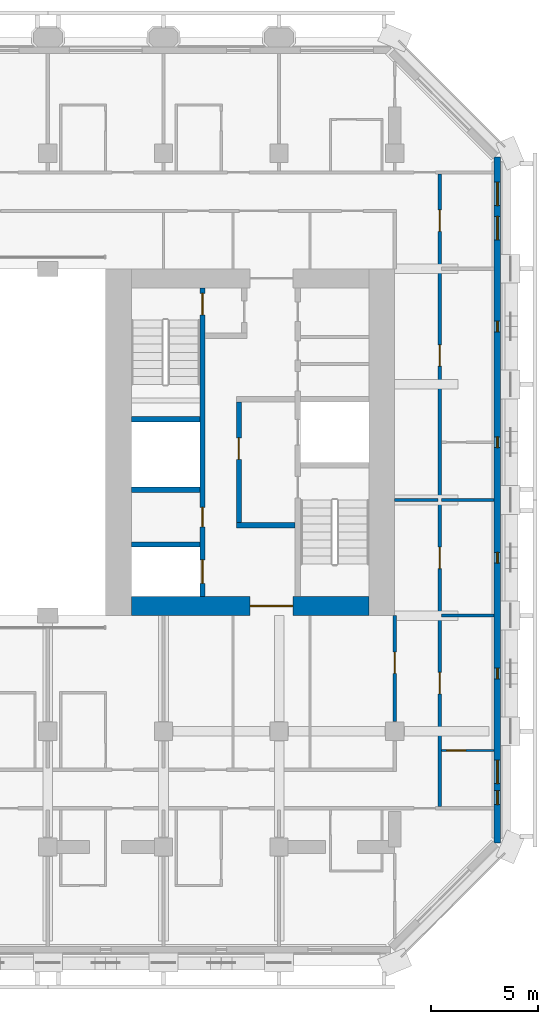
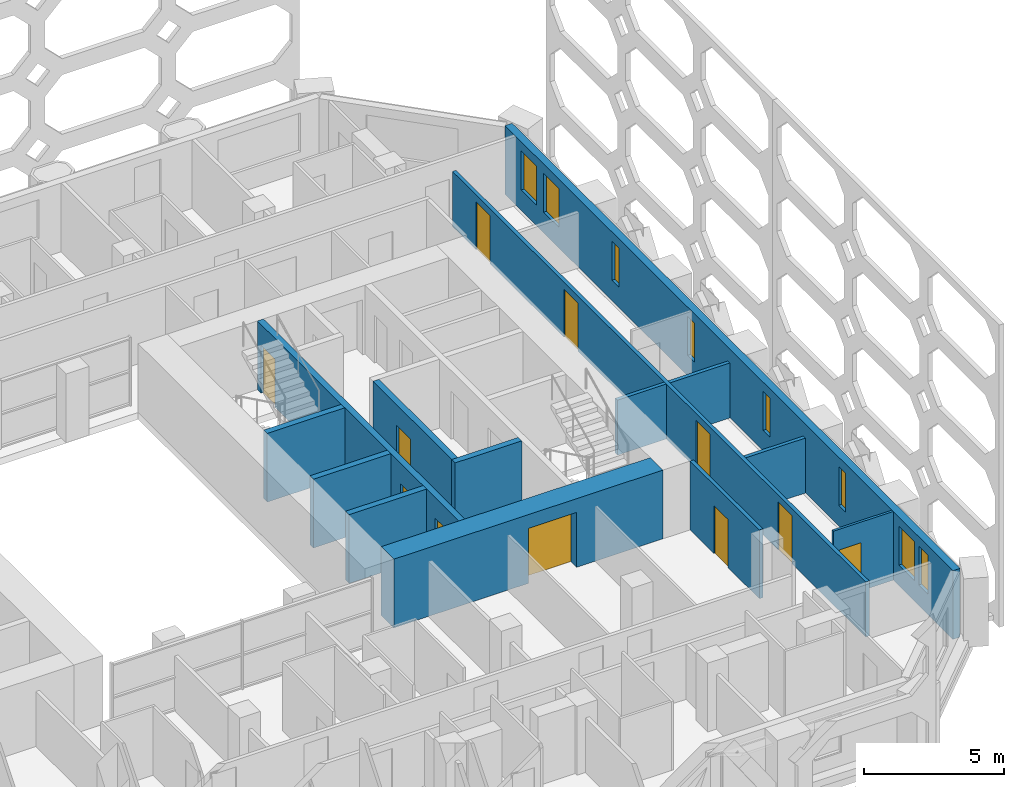
# One storey, part 9 of 16: 14 walls, 11 doors, 8 windows, 19 openings.
"""IFC4 building model written with IfcOpenShell, lengths in metres."""

from ifc_helpers import new_model, si_unit, direction, frame, frame_2d, origin, place, context, subcontext, project, spatial, rectangle, extrude, material, layer, layer_set, type_object, element, fill, save


model = new_model("IFC4")

# Units and contexts
model_context = context("Model", 3, precision=1e-05, world=origin(), true_north=direction((0.0, 1.0)))
body_context = subcontext(model_context, "Body", "Model", "MODEL_VIEW")
ifc_project = project(units=[si_unit("LENGTHUNIT", "METRE"), si_unit("AREAUNIT", "SQUARE_METRE"), si_unit("VOLUMEUNIT", "CUBIC_METRE"), si_unit("PLANEANGLEUNIT", "RADIAN"), si_unit("MASSUNIT", "GRAM", prefix="KILO")], contexts=[model_context])

# Site, building, storey
site_placement = place(None, origin())
site = spatial("IfcSite", under=ifc_project, at=site_placement, CompositionType="ELEMENT")
building_placement = place(site_placement, origin())
building = spatial("IfcBuilding", under=site, at=building_placement, Name="Tabaq Tower and Sports Hall", CompositionType="ELEMENT")
storey_placement = place(building_placement, frame((0.0, 0.0, 152.800048828125)))
storey = spatial("IfcBuildingStorey", under=building, at=storey_placement, Name="L35", CompositionType="ELEMENT", Elevation=152.800048828125)

# Wall, opening, door
ifc_material_1 = material(Name="Concrete C50/60", Category="concrete")
ifc_layer_1 = layer(ifc_material_1, 0.89990234375)
ifc_layer_set_1 = layer_set([ifc_layer_1], Name="Core wall 900 Concrete C50/60")
wall_type_1 = type_object("IfcWallType", Name="Core wall 900 Concrete C50/60", PredefinedType="SOLIDWALL", material=ifc_layer_set_1)
wall_1_placement = place(storey_placement, frame((42.0, 16.64990234375, 0.0), z_axis=(0.0, 0.0, 1.0), x_axis=(-1.0, 0.0, 0.0)))
wall_1 = element("IfcWall", 1, at=wall_1_placement, inside=storey, type_object=wall_type_1, Name="Core wall E L35", PredefinedType="SOLIDWALL", context=body_context, shape_type="SweptSolid", body=[
    extrude(rectangle(XDim=11.10009765625, YDim=0.89990234375, at=frame_2d((5.550048828125, 0.0))), origin(), (0.0, 0.0, 1.0), 3.0),
])
opening_1_placement = place(wall_1_placement, frame((3.550048828125, 0.0, 0.0)))
opening_1 = element("IfcOpeningElement", 2, at=opening_1_placement, cuts=wall_1, Name="Opening PD-EL35-01", PredefinedType="OPENING", context=body_context, shape_type="SweptSolid", body=[
    extrude(rectangle(XDim=2.0, YDim=2.39990234375, at=frame_2d((1.0, 1.199951171875))), frame((0.0, 0.449951171875, 0.0), z_axis=(0.0, -1.0, 0.0), x_axis=(1.0, 0.0, 0.0)), (0.0, 0.0, 1.0), 0.89990234375),
])
ifc_material_2 = material(Name="Steel fire door", Category="steel")
door_type_1 = type_object("IfcDoorType", Name="Core entrance door 2000", OperationType="DOUBLE_DOOR_SINGLE_SWING", PredefinedType="DOOR", material=ifc_material_2)
door_1_placement = place(opening_1_placement, origin())
door_1 = element("IfcDoor", 3, at=door_1_placement, inside=storey, type_object=door_type_1, Name="Core entrance south E L35", OperationType="DOUBLE_DOOR_SINGLE_SWING", OverallHeight=2.39990234375, OverallWidth=2.0, PredefinedType="DOOR", context=body_context, shape_type="SweptSolid", body=[
    extrude(rectangle(XDim=2.0, YDim=2.39990234375, at=frame_2d((1.0, 1.199951171875))), frame((0.0, 0.02490234375, 0.0), z_axis=(0.0, -1.0, 0.0), x_axis=(1.0, 0.0, 0.0)), (0.0, 0.0, 1.0), 0.050048828125),
])
fill(opening_1, door_1)

ifc_material_3 = material(Name="Gypsum board on steel studs", Category="steel")
ifc_layer_2 = layer(ifc_material_3, 0.10009765625)
ifc_layer_set_2 = layer_set([ifc_layer_2], Name="Partition 100 Gypsum board")
wall_type_2 = type_object("IfcWallType", Name="Partition 100 Gypsum board", PredefinedType="PARTITIONING", material=ifc_layer_set_2)
wall_2_placement = place(storey_placement, frame((45.375, 9.89990234375, 0.0), z_axis=(0.0, 0.0, 1.0), x_axis=(1.0, 0.0, 0.0)))
wall_2 = element("IfcWall", 4, at=wall_2_placement, inside=storey, type_object=wall_type_2, Name="Partition wall L35", PredefinedType="PARTITIONING", context=body_context, shape_type="SweptSolid", body=[
    extrude(rectangle(XDim=2.47412109375, YDim=0.10009765625, at=frame_2d((1.237060546875, 0.0))), origin(), (0.0, 0.0, 1.0), 3.0),
])
opening_2_placement = place(wall_2_placement, frame((0.25, 0.0, 0.0)))
opening_2 = element("IfcOpeningElement", 5, at=opening_2_placement, cuts=wall_2, Name="Opening L35-017", PredefinedType="OPENING", context=body_context, shape_type="SweptSolid", body=[
    extrude(rectangle(XDim=0.89990234375, YDim=2.10009765625, at=frame_2d((0.449951171875, 1.050048828125))), frame((0.0, 0.050048828125, 0.0), z_axis=(0.0, -1.0, 0.0), x_axis=(1.0, 0.0, 0.0)), (0.0, 0.0, 1.0), 0.10009765625),
])
ifc_material_4 = material(Name="Timber leaf in steel frame", Category="steel")
door_type_2 = type_object("IfcDoorType", Name="Internal door 900 left hand", OperationType="SINGLE_SWING_LEFT", PredefinedType="DOOR", material=ifc_material_4)
door_2_placement = place(opening_2_placement, origin())
door_2 = element("IfcDoor", 6, at=door_2_placement, inside=storey, type_object=door_type_2, Name="Internal door L35-017", OperationType="SINGLE_SWING_LEFT", OverallHeight=2.10009765625, OverallWidth=0.89990234375, PredefinedType="DOOR", context=body_context, shape_type="SweptSolid", body=[
    extrude(rectangle(XDim=0.89990234375, YDim=2.10009765625, at=frame_2d((0.449951171875, 1.050048828125))), frame((0.0, 0.02490234375, 0.0), z_axis=(0.0, -1.0, 0.0), x_axis=(1.0, 0.0, 0.0)), (0.0, 0.0, 1.0), 0.050048828125),
])
fill(opening_2, door_2)

# Walls
ifc_material_5 = material(Name="Blockwork", Category="masonry")
ifc_layer_3 = layer(ifc_material_5, 0.14990234375)
ifc_layer_set_3 = layer_set([ifc_layer_3], Name="Separating wall 150 Blockwork")
wall_type_3 = type_object("IfcWallType", Name="Separating wall 150 Blockwork", PredefinedType="PARTITIONING", material=ifc_layer_set_3)
wall_3_placement = place(storey_placement, frame((45.375, 21.60009765625, 0.0), z_axis=(0.0, 0.0, 1.0), x_axis=(1.0, 0.0, 0.0)))
element("IfcWall", 7, at=wall_3_placement, inside=storey, type_object=wall_type_3, Name="Separating wall L35", PredefinedType="PARTITIONING", context=body_context, shape_type="SweptSolid", body=[
    extrude(rectangle(XDim=2.47412109375, YDim=0.14990234375, at=frame_2d((1.237060546875, 0.0))), origin(), (0.0, 0.0, 1.0), 2.39990234375),
])
wall_4_placement = place(storey_placement, frame((43.199951171875, 21.60009765625, 0.0), z_axis=(0.0, 0.0, 1.0), x_axis=(1.0, 0.0, 0.0)))
element("IfcWall", 8, at=wall_4_placement, inside=storey, type_object=wall_type_3, Name="Separating wall L35", PredefinedType="PARTITIONING", context=body_context, shape_type="SweptSolid", body=[
    extrude(rectangle(XDim=2.025146484375, YDim=0.14990234375, at=frame_2d((1.0126953125, 0.0))), origin(), (0.0, 0.0, 1.0), 2.39990234375),
])
wall_5_placement = place(storey_placement, frame((47.84912109375, 16.199951171875, 0.0), z_axis=(0.0, 0.0, 1.0), x_axis=(-1.0, 0.0, 0.0)))
element("IfcWall", 9, at=wall_5_placement, inside=storey, type_object=wall_type_3, Name="Separating wall L35", PredefinedType="PARTITIONING", context=body_context, shape_type="SweptSolid", body=[
    extrude(rectangle(XDim=2.47412109375, YDim=0.14990234375, at=frame_2d((1.237060546875, 0.0))), origin(), (0.0, 0.0, 1.0), 2.39990234375),
])

# Wall, openings, doors
wall_6_placement = place(storey_placement, frame((45.300048828125, 36.824951171875, 0.0), z_axis=(0.0, 0.0, 1.0), x_axis=(0.0, -1.0, 0.0)))
wall_6 = element("IfcWall", 10, at=wall_6_placement, inside=storey, type_object=wall_type_3, Name="Separating wall L35", PredefinedType="PARTITIONING", context=body_context, shape_type="SweptSolid", body=[
    extrude(rectangle(XDim=29.550048828125, YDim=0.14990234375, at=frame_2d((14.77490234375, 0.0))), origin(), (0.0, 0.0, 1.0), 2.39990234375),
])
opening_3_placement = place(wall_6_placement, frame((1.675048828125, 0.0, 0.0)))
opening_3 = element("IfcOpeningElement", 11, at=opening_3_placement, cuts=wall_6, Name="Opening L35-001", PredefinedType="OPENING", context=body_context, shape_type="SweptSolid", body=[
    extrude(rectangle(XDim=1.0, YDim=2.10009765625, at=frame_2d((0.5, 1.050048828125))), frame((0.0, 0.074951171875, 0.0), z_axis=(0.0, -1.0, 0.0), x_axis=(1.0, 0.0, 0.0)), (0.0, 0.0, 1.0), 0.14990234375),
])
opening_4_placement = place(wall_6_placement, frame((17.425048828125, 0.0, 0.0)))
opening_4 = element("IfcOpeningElement", 12, at=opening_4_placement, cuts=wall_6, Name="Opening L35-025", PredefinedType="OPENING", context=body_context, shape_type="SweptSolid", body=[
    extrude(rectangle(XDim=1.0, YDim=2.10009765625, at=frame_2d((0.5, 1.050048828125))), frame((0.0, 0.074951171875, 0.0), z_axis=(0.0, -1.0, 0.0), x_axis=(1.0, 0.0, 0.0)), (0.0, 0.0, 1.0), 0.14990234375),
])
opening_5_placement = place(wall_6_placement, frame((7.97509765625, 0.0, 0.0)))
opening_5 = element("IfcOpeningElement", 13, at=opening_5_placement, cuts=wall_6, Name="Opening L35-036", PredefinedType="OPENING", context=body_context, shape_type="SweptSolid", body=[
    extrude(rectangle(XDim=1.0, YDim=2.10009765625, at=frame_2d((0.5, 1.050048828125))), frame((0.0, 0.074951171875, 0.0), z_axis=(0.0, -1.0, 0.0), x_axis=(1.0, 0.0, 0.0)), (0.0, 0.0, 1.0), 0.14990234375),
])
opening_6_placement = place(wall_6_placement, frame((23.27490234375, 0.0, 0.0)))
opening_6 = element("IfcOpeningElement", 14, at=opening_6_placement, cuts=wall_6, Name="Opening L35-042", PredefinedType="OPENING", context=body_context, shape_type="SweptSolid", body=[
    extrude(rectangle(XDim=1.0, YDim=2.10009765625, at=frame_2d((0.5, 1.050048828125))), frame((0.0, 0.074951171875, 0.0), z_axis=(0.0, -1.0, 0.0), x_axis=(1.0, 0.0, 0.0)), (0.0, 0.0, 1.0), 0.14990234375),
])
ifc_material_6 = material(Name="Steel fire door", Category="steel")
door_type_3 = type_object("IfcDoorType", Name="Entrance door 1000 right hand", OperationType="SINGLE_SWING_RIGHT", PredefinedType="DOOR", material=ifc_material_6)
door_3_placement = place(opening_5_placement, origin())
door_3 = element("IfcDoor", 15, at=door_3_placement, inside=storey, type_object=door_type_3, Name="Entrance door L35-036", OperationType="SINGLE_SWING_RIGHT", OverallHeight=2.10009765625, OverallWidth=1.0, PredefinedType="DOOR", context=body_context, shape_type="SweptSolid", body=[
    extrude(rectangle(XDim=1.0, YDim=2.10009765625, at=frame_2d((0.5, 1.050048828125))), frame((0.0, 0.02490234375, 0.0), z_axis=(0.0, -1.0, 0.0), x_axis=(1.0, 0.0, 0.0)), (0.0, 0.0, 1.0), 0.050048828125),
])
fill(opening_5, door_3)
door_4_placement = place(opening_6_placement, origin())
door_4 = element("IfcDoor", 16, at=door_4_placement, inside=storey, type_object=door_type_3, Name="Entrance door L35-042", OperationType="SINGLE_SWING_RIGHT", OverallHeight=2.10009765625, OverallWidth=1.0, PredefinedType="DOOR", context=body_context, shape_type="SweptSolid", body=[
    extrude(rectangle(XDim=1.0, YDim=2.10009765625, at=frame_2d((0.5, 1.050048828125))), frame((0.0, 0.02490234375, 0.0), z_axis=(0.0, -1.0, 0.0), x_axis=(1.0, 0.0, 0.0)), (0.0, 0.0, 1.0), 0.050048828125),
])
fill(opening_6, door_4)
ifc_material_7 = material(Name="Timber leaf in steel frame", Category="steel")
door_type_4 = type_object("IfcDoorType", Name="Internal door 1000 left hand", OperationType="SINGLE_SWING_LEFT", PredefinedType="DOOR", material=ifc_material_7)
door_5_placement = place(opening_3_placement, origin())
door_5 = element("IfcDoor", 17, at=door_5_placement, inside=storey, type_object=door_type_4, Name="Internal door L35-001", OperationType="SINGLE_SWING_LEFT", OverallHeight=2.10009765625, OverallWidth=1.0, PredefinedType="DOOR", context=body_context, shape_type="SweptSolid", body=[
    extrude(rectangle(XDim=1.0, YDim=2.10009765625, at=frame_2d((0.5, 1.050048828125))), frame((0.0, 0.02490234375, 0.0), z_axis=(0.0, -1.0, 0.0), x_axis=(1.0, 0.0, 0.0)), (0.0, 0.0, 1.0), 0.050048828125),
])
fill(opening_3, door_5)
ifc_material_8 = material(Name="Timber leaf in steel frame", Category="steel")
door_type_5 = type_object("IfcDoorType", Name="Internal door 1000 right hand", OperationType="SINGLE_SWING_RIGHT", PredefinedType="DOOR", material=ifc_material_8)
door_6_placement = place(opening_4_placement, origin())
door_6 = element("IfcDoor", 18, at=door_6_placement, inside=storey, type_object=door_type_5, Name="Internal door L35-025", OperationType="SINGLE_SWING_RIGHT", OverallHeight=2.10009765625, OverallWidth=1.0, PredefinedType="DOOR", context=body_context, shape_type="SweptSolid", body=[
    extrude(rectangle(XDim=1.0, YDim=2.10009765625, at=frame_2d((0.5, 1.050048828125))), frame((0.0, 0.02490234375, 0.0), z_axis=(0.0, -1.0, 0.0), x_axis=(1.0, 0.0, 0.0)), (0.0, 0.0, 1.0), 0.050048828125),
])
fill(opening_4, door_6)

# Wall, opening, door
wall_7_placement = place(storey_placement, frame((43.199951171875, 16.199951171875, 0.0), z_axis=(0.0, 0.0, 1.0), x_axis=(0.0, -1.0, 0.0)))
wall_7 = element("IfcWall", 19, at=wall_7_placement, inside=storey, type_object=wall_type_3, Name="Separating wall L35", PredefinedType="PARTITIONING", context=body_context, shape_type="SweptSolid", body=[
    extrude(rectangle(XDim=4.954833984375, YDim=0.14990234375, at=frame_2d((2.4775390625, 0.0))), origin(), (0.0, 0.0, 1.0), 3.0),
])
opening_7_placement = place(wall_7_placement, frame((1.699951171875, 0.0, 0.0)))
opening_7 = element("IfcOpeningElement", 20, at=opening_7_placement, cuts=wall_7, Name="Opening L35-028", PredefinedType="OPENING", context=body_context, shape_type="SweptSolid", body=[
    extrude(rectangle(XDim=1.0, YDim=2.10009765625, at=frame_2d((0.5, 1.050048828125))), frame((0.0, 0.074951171875, 0.0), z_axis=(0.0, -1.0, 0.0), x_axis=(1.0, 0.0, 0.0)), (0.0, 0.0, 1.0), 0.14990234375),
])
door_7_placement = place(opening_7_placement, origin())
door_7 = element("IfcDoor", 21, at=door_7_placement, inside=storey, type_object=door_type_5, Name="Internal door L35-028", OperationType="SINGLE_SWING_RIGHT", OverallHeight=2.10009765625, OverallWidth=1.0, PredefinedType="DOOR", context=body_context, shape_type="SweptSolid", body=[
    extrude(rectangle(XDim=1.0, YDim=2.10009765625, at=frame_2d((0.5, 1.050048828125))), frame((0.0, 0.02490234375, 0.0), z_axis=(0.0, -1.0, 0.0), x_axis=(1.0, 0.0, 0.0)), (0.0, 0.0, 1.0), 0.050048828125),
])
fill(opening_7, door_7)

# Wall, openings, doors
ifc_material_9 = material(Name="Concrete C40/50", Category="concrete")
ifc_layer_4 = layer(ifc_material_9, 0.25)
ifc_layer_set_4 = layer_set([ifc_layer_4], Name="Shaft and stair wall 250 Concrete C40/50")
wall_type_4 = type_object("IfcWallType", Name="Shaft and stair wall 250 Concrete C40/50", PredefinedType="SOLIDWALL", material=ifc_layer_set_4)
wall_8_placement = place(storey_placement, frame((34.22509765625, 17.10009765625, 0.0), z_axis=(0.0, 0.0, 1.0), x_axis=(0.0, 1.0, 0.0)))
wall_8 = element("IfcWall", 22, at=wall_8_placement, inside=storey, type_object=wall_type_4, Name="Shaft wall E L35", PredefinedType="SOLIDWALL", context=body_context, shape_type="SweptSolid", body=[
    extrude(rectangle(XDim=14.39990234375, YDim=0.25, at=frame_2d((7.199951171875, 0.0))), origin(), (0.0, 0.0, 1.0), 3.0),
])
opening_8_placement = place(wall_8_placement, frame((13.14990234375, 0.0, 0.0)))
opening_8 = element("IfcOpeningElement", 23, at=opening_8_placement, cuts=wall_8, Name="Opening SD-EL35-05", PredefinedType="OPENING", context=body_context, shape_type="SweptSolid", body=[
    extrude(rectangle(XDim=1.0, YDim=2.10009765625, at=frame_2d((0.5, 1.050048828125))), frame((0.0, 0.125, 0.0), z_axis=(0.0, -1.0, 0.0), x_axis=(1.0, 0.0, 0.0)), (0.0, 0.0, 1.0), 0.25),
])
opening_9_placement = place(wall_8_placement, frame((0.60009765625, 0.0, 0.0)))
opening_9 = element("IfcOpeningElement", 24, at=opening_9_placement, cuts=wall_8, Name="Opening LD-MR2-L35", PredefinedType="OPENING", context=body_context, shape_type="SweptSolid", body=[
    extrude(rectangle(XDim=1.10009765625, YDim=2.10009765625, at=frame_2d((0.550048828125, 1.050048828125))), frame((0.0, 0.125, 0.0), z_axis=(0.0, -1.0, 0.0), x_axis=(1.0, 0.0, 0.0)), (0.0, 0.0, 1.0), 0.25),
])
opening_10_placement = place(wall_8_placement, frame((3.25, 0.0, 0.0)))
opening_10 = element("IfcOpeningElement", 25, at=opening_10_placement, cuts=wall_8, Name="Opening RD-EL35-12", PredefinedType="OPENING", context=body_context, shape_type="SweptSolid", body=[
    extrude(rectangle(XDim=0.89990234375, YDim=2.10009765625, at=frame_2d((0.449951171875, 1.050048828125))), frame((0.0, 0.125, 0.0), z_axis=(0.0, -1.0, 0.0), x_axis=(1.0, 0.0, 0.0)), (0.0, 0.0, 1.0), 0.25),
])
ifc_material_10 = material(Name="Steel fire door", Category="steel")
door_type_6 = type_object("IfcDoorType", Name="Core room door 900", OperationType="SINGLE_SWING_LEFT", PredefinedType="DOOR", material=ifc_material_10)
door_8_placement = place(opening_10_placement, origin())
door_8 = element("IfcDoor", 26, at=door_8_placement, inside=storey, type_object=door_type_6, Name="Door Cleaner's Store E L35", OperationType="SINGLE_SWING_LEFT", OverallHeight=2.10009765625, OverallWidth=0.89990234375, PredefinedType="DOOR", context=body_context, shape_type="SweptSolid", body=[
    extrude(rectangle(XDim=0.89990234375, YDim=2.10009765625, at=frame_2d((0.449951171875, 1.050048828125))), frame((0.0, 0.02490234375, 0.0), z_axis=(0.0, -1.0, 0.0), x_axis=(1.0, 0.0, 0.0)), (0.0, 0.0, 1.0), 0.050048828125),
])
fill(opening_10, door_8)
ifc_material_11 = material(Name="Stainless steel", Category="steel")
door_type_7 = type_object("IfcDoorType", Name="Lift landing door 1100", OperationType="DOUBLE_DOOR_SLIDING", PredefinedType="DOOR", material=ifc_material_11)
door_9_placement = place(opening_9_placement, origin())
door_9 = element("IfcDoor", 27, at=door_9_placement, inside=storey, type_object=door_type_7, Name="Lift landing door MR2 E L35", OperationType="DOUBLE_DOOR_SLIDING", OverallHeight=2.10009765625, OverallWidth=1.10009765625, PredefinedType="DOOR", context=body_context, shape_type="SweptSolid", body=[
    extrude(rectangle(XDim=1.10009765625, YDim=2.10009765625, at=frame_2d((0.550048828125, 1.050048828125))), frame((0.0, 0.02490234375, 0.0), z_axis=(0.0, -1.0, 0.0), x_axis=(1.0, 0.0, 0.0)), (0.0, 0.0, 1.0), 0.050048828125),
])
fill(opening_9, door_9)
ifc_material_12 = material(Name="Steel fire door", Category="steel")
door_type_8 = type_object("IfcDoorType", Name="Stair door 1000", OperationType="SINGLE_SWING_LEFT", PredefinedType="DOOR", material=ifc_material_12)
door_10_placement = place(opening_8_placement, origin())
door_10 = element("IfcDoor", 28, at=door_10_placement, inside=storey, type_object=door_type_8, Name="Stair door ST4 E L35", OperationType="SINGLE_SWING_LEFT", OverallHeight=2.10009765625, OverallWidth=1.0, PredefinedType="DOOR", context=body_context, shape_type="SweptSolid", body=[
    extrude(rectangle(XDim=1.0, YDim=2.10009765625, at=frame_2d((0.5, 1.050048828125))), frame((0.0, 0.02490234375, 0.0), z_axis=(0.0, -1.0, 0.0), x_axis=(1.0, 0.0, 0.0)), (0.0, 0.0, 1.0), 0.050048828125),
])
fill(opening_8, door_10)

# Walls
for number, where, z_axis, x_axis, name in (
    (29, (30.89990234375, 25.375, 0.0), (0.0, 0.0, 1.0), (1.0, 0.0, 0.0), "Stair enclosure wall E L35"),
    (30, (30.89990234375, 22.074951171875, 0.0), (0.0, 0.0, 1.0), (1.0, 0.0, 0.0), "Shaft wall E L35"),
):
    element("IfcWall", number, at=place(storey_placement, frame(where, z_axis=z_axis, x_axis=x_axis)), inside=storey, type_object=wall_type_4, Name=name, PredefinedType="SOLIDWALL", context=body_context, shape_type="SweptSolid", body=[
        extrude(rectangle(XDim=3.2001953125, YDim=0.25, at=frame_2d((1.60009765625, 0.0))), origin(), (0.0, 0.0, 1.0), 3.0),
    ])
wall_9_placement = place(storey_placement, frame((35.800048828125, 20.425048828125, 0.0), z_axis=(0.0, 0.0, 1.0), x_axis=(1.0, 0.0, 0.0)))
element("IfcWall", 31, at=wall_9_placement, inside=storey, type_object=wall_type_4, Name="Fire-fighting lobby wall E L35", PredefinedType="SOLIDWALL", context=body_context, shape_type="SweptSolid", body=[
    extrude(rectangle(XDim=2.75, YDim=0.25, at=frame_2d((1.375, 0.0))), origin(), (0.0, 0.0, 1.0), 3.0),
])

# Wall, opening, door
wall_10_placement = place(storey_placement, frame((35.925048828125, 20.550048828125, 0.0), z_axis=(0.0, 0.0, 1.0), x_axis=(0.0, 1.0, 0.0)))
wall_10 = element("IfcWall", 32, at=wall_10_placement, inside=storey, type_object=wall_type_4, Name="Fire-fighting lobby wall E L35", PredefinedType="SOLIDWALL", context=body_context, shape_type="SweptSolid", body=[
    extrude(rectangle(XDim=5.625, YDim=0.25, at=frame_2d((2.8125, 0.0))), origin(), (0.0, 0.0, 1.0), 3.0),
])
opening_11_placement = place(wall_10_placement, frame((2.949951171875, 0.0, 0.0)))
opening_11 = element("IfcOpeningElement", 33, at=opening_11_placement, cuts=wall_10, Name="Opening FD-EL35-04", PredefinedType="OPENING", context=body_context, shape_type="SweptSolid", body=[
    extrude(rectangle(XDim=1.0, YDim=2.10009765625, at=frame_2d((0.5, 1.050048828125))), frame((0.0, 0.125, 0.0), z_axis=(0.0, -1.0, 0.0), x_axis=(1.0, 0.0, 0.0)), (0.0, 0.0, 1.0), 0.25),
])
ifc_material_13 = material(Name="Steel fire door", Category="steel")
door_type_9 = type_object("IfcDoorType", Name="Fire-fighting lobby door 1000", OperationType="SINGLE_SWING_LEFT", PredefinedType="DOOR", material=ifc_material_13)
door_11_placement = place(opening_11_placement, origin())
door_11 = element("IfcDoor", 34, at=door_11_placement, inside=storey, type_object=door_type_9, Name="Fire-fighting lobby door E L35", OperationType="SINGLE_SWING_LEFT", OverallHeight=2.10009765625, OverallWidth=1.0, PredefinedType="DOOR", context=body_context, shape_type="SweptSolid", body=[
    extrude(rectangle(XDim=1.0, YDim=2.10009765625, at=frame_2d((0.5, 1.050048828125))), frame((0.0, 0.02490234375, 0.0), z_axis=(0.0, -1.0, 0.0), x_axis=(1.0, 0.0, 0.0)), (0.0, 0.0, 1.0), 0.050048828125),
])
fill(opening_11, door_11)

# Wall
wall_11_placement = place(storey_placement, frame((30.89990234375, 19.52490234375, 0.0), z_axis=(0.0, 0.0, 1.0), x_axis=(1.0, 0.0, 0.0)))
element("IfcWall", 35, at=wall_11_placement, inside=storey, type_object=wall_type_4, Name="Shaft wall E L35", PredefinedType="SOLIDWALL", context=body_context, shape_type="SweptSolid", body=[
    extrude(rectangle(XDim=3.2001953125, YDim=0.25, at=frame_2d((1.60009765625, 0.0))), origin(), (0.0, 0.0, 1.0), 3.0),
])

# Wall, openings, windows
ifc_material_14 = material(Name="White precast concrete C60/75", Category="concrete")
ifc_layer_5 = layer(ifc_material_14, 0.300048828125)
ifc_layer_set_5 = layer_set([ifc_layer_5], Name="White precast concrete C60/75 external wall 300")
wall_type_5 = type_object("IfcWallType", Name="White precast concrete C60/75 external wall 300", PredefinedType="SOLIDWALL", material=ifc_layer_set_5)
wall_12_placement = place(storey_placement, frame((48.0, 5.58642578125, 0.0), z_axis=(0.0, 0.0, 1.0), x_axis=(0.0, 1.0, 0.0)))
wall_12 = element("IfcWall", 36, at=wall_12_placement, inside=storey, type_object=wall_type_5, Name="External Wall L35 E", PredefinedType="SOLIDWALL", context=body_context, shape_type="SweptSolid", body=[
    extrude(rectangle(XDim=32.027099609375, YDim=0.300048828125, at=frame_2d((16.013671875, 0.0))), origin(), (0.0, 0.0, 1.0), 3.0),
])
opening_12_placement = place(wall_12_placement, frame((1.78857421875, 0.0, 0.89990234375)))
opening_12 = element("IfcOpeningElement", 37, at=opening_12_placement, cuts=wall_12, Name="Opening W1C", PredefinedType="OPENING", context=body_context, shape_type="SweptSolid", body=[
    extrude(rectangle(XDim=0.64990234375, YDim=1.699951171875, at=frame_2d((0.324951171875, 0.85009765625))), frame((0.0, 0.16015625, 0.0), z_axis=(0.0, -1.0, 0.0), x_axis=(1.0, 0.0, 0.0)), (0.0, 0.0, 1.0), 0.320068359375),
])
opening_13_placement = place(wall_12_placement, frame((2.763671875, 0.0, 0.89990234375)))
opening_13 = element("IfcOpeningElement", 38, at=opening_13_placement, cuts=wall_12, Name="Opening W1B", PredefinedType="OPENING", context=body_context, shape_type="SweptSolid", body=[
    extrude(rectangle(XDim=1.10009765625, YDim=1.699951171875, at=frame_2d((0.550048828125, 0.85009765625))), frame((0.0, 0.16015625, 0.0), z_axis=(0.0, -1.0, 0.0), x_axis=(1.0, 0.0, 0.0)), (0.0, 0.0, 1.0), 0.320068359375),
])
opening_14_placement = place(wall_12_placement, frame((7.66357421875, 0.0, 0.89990234375)))
opening_14 = element("IfcOpeningElement", 39, at=opening_14_placement, cuts=wall_12, Name="Opening W1E", PredefinedType="OPENING", context=body_context, shape_type="SweptSolid", body=[
    extrude(rectangle(XDim=0.5, YDim=1.699951171875, at=frame_2d((0.25, 0.85009765625))), frame((0.0, 0.16015625, 0.0), z_axis=(0.0, -1.0, 0.0), x_axis=(1.0, 0.0, 0.0)), (0.0, 0.0, 1.0), 0.320068359375),
])
opening_15_placement = place(wall_12_placement, frame((13.063720703125, 0.0, 0.89990234375)))
opening_15 = element("IfcOpeningElement", 40, at=opening_15_placement, cuts=wall_12, Name="Opening W1E", PredefinedType="OPENING", context=body_context, shape_type="SweptSolid", body=[
    extrude(rectangle(XDim=0.5, YDim=1.699951171875, at=frame_2d((0.25, 0.85009765625))), frame((0.0, 0.16015625, 0.0), z_axis=(0.0, -1.0, 0.0), x_axis=(1.0, 0.0, 0.0)), (0.0, 0.0, 1.0), 0.320068359375),
])
opening_16_placement = place(wall_12_placement, frame((18.463623046875, 0.0, 0.89990234375)))
opening_16 = element("IfcOpeningElement", 41, at=opening_16_placement, cuts=wall_12, Name="Opening W1E", PredefinedType="OPENING", context=body_context, shape_type="SweptSolid", body=[
    extrude(rectangle(XDim=0.5, YDim=1.699951171875, at=frame_2d((0.25, 0.85009765625))), frame((0.0, 0.16015625, 0.0), z_axis=(0.0, -1.0, 0.0), x_axis=(1.0, 0.0, 0.0)), (0.0, 0.0, 1.0), 0.320068359375),
])
opening_17_placement = place(wall_12_placement, frame((23.863525390625, 0.0, 0.89990234375)))
opening_17 = element("IfcOpeningElement", 42, at=opening_17_placement, cuts=wall_12, Name="Opening W1E", PredefinedType="OPENING", context=body_context, shape_type="SweptSolid", body=[
    extrude(rectangle(XDim=0.5, YDim=1.699951171875, at=frame_2d((0.25, 0.85009765625))), frame((0.0, 0.16015625, 0.0), z_axis=(0.0, -1.0, 0.0), x_axis=(1.0, 0.0, 0.0)), (0.0, 0.0, 1.0), 0.320068359375),
])
opening_18_placement = place(wall_12_placement, frame((28.16357421875, 0.0, 0.89990234375)))
opening_18 = element("IfcOpeningElement", 43, at=opening_18_placement, cuts=wall_12, Name="Opening W1B", PredefinedType="OPENING", context=body_context, shape_type="SweptSolid", body=[
    extrude(rectangle(XDim=1.10009765625, YDim=1.699951171875, at=frame_2d((0.550048828125, 0.85009765625))), frame((0.0, 0.16015625, 0.0), z_axis=(0.0, -1.0, 0.0), x_axis=(1.0, 0.0, 0.0)), (0.0, 0.0, 1.0), 0.320068359375),
])
opening_19_placement = place(wall_12_placement, frame((29.763671875, 0.0, 0.89990234375)))
opening_19 = element("IfcOpeningElement", 44, at=opening_19_placement, cuts=wall_12, Name="Opening W1B", PredefinedType="OPENING", context=body_context, shape_type="SweptSolid", body=[
    extrude(rectangle(XDim=1.10009765625, YDim=1.699951171875, at=frame_2d((0.550048828125, 0.85009765625))), frame((0.0, 0.16015625, 0.0), z_axis=(0.0, -1.0, 0.0), x_axis=(1.0, 0.0, 0.0)), (0.0, 0.0, 1.0), 0.320068359375),
])
ifc_material_15 = material(Name="Aluminium framed clear glazing", Category="aluminium")
window_type_1 = type_object("IfcWindowType", Name="Window W1B", PartitioningType="SINGLE_PANEL", PredefinedType="WINDOW", material=ifc_material_15)
window_1_placement = place(opening_13_placement, origin())
window_1 = element("IfcWindow", 45, at=window_1_placement, inside=storey, type_object=window_type_1, Name="Window W1B L35", OverallHeight=1.699951171875, OverallWidth=1.10009765625, PartitioningType="SINGLE_PANEL", PredefinedType="WINDOW", context=body_context, shape_type="SweptSolid", body=[
    extrude(rectangle(XDim=1.10009765625, YDim=1.699951171875, at=frame_2d((0.550048828125, 0.85009765625))), frame((0.0, 0.030029296875, 0.0), z_axis=(0.0, -1.0, 0.0), x_axis=(1.0, 0.0, 0.0)), (0.0, 0.0, 1.0), 0.06005859375),
])
fill(opening_13, window_1)
window_2_placement = place(opening_18_placement, origin())
window_2 = element("IfcWindow", 46, at=window_2_placement, inside=storey, type_object=window_type_1, Name="Window W1B L35", OverallHeight=1.699951171875, OverallWidth=1.10009765625, PartitioningType="SINGLE_PANEL", PredefinedType="WINDOW", context=body_context, shape_type="SweptSolid", body=[
    extrude(rectangle(XDim=1.10009765625, YDim=1.699951171875, at=frame_2d((0.550048828125, 0.85009765625))), frame((0.0, 0.030029296875, 0.0), z_axis=(0.0, -1.0, 0.0), x_axis=(1.0, 0.0, 0.0)), (0.0, 0.0, 1.0), 0.06005859375),
])
fill(opening_18, window_2)
window_3_placement = place(opening_19_placement, origin())
window_3 = element("IfcWindow", 47, at=window_3_placement, inside=storey, type_object=window_type_1, Name="Window W1B L35", OverallHeight=1.699951171875, OverallWidth=1.10009765625, PartitioningType="SINGLE_PANEL", PredefinedType="WINDOW", context=body_context, shape_type="SweptSolid", body=[
    extrude(rectangle(XDim=1.10009765625, YDim=1.699951171875, at=frame_2d((0.550048828125, 0.85009765625))), frame((0.0, 0.030029296875, 0.0), z_axis=(0.0, -1.0, 0.0), x_axis=(1.0, 0.0, 0.0)), (0.0, 0.0, 1.0), 0.06005859375),
])
fill(opening_19, window_3)
ifc_material_16 = material(Name="Aluminium framed clear glazing", Category="aluminium")
window_type_2 = type_object("IfcWindowType", Name="Window W1C", PartitioningType="SINGLE_PANEL", PredefinedType="WINDOW", material=ifc_material_16)
window_4_placement = place(opening_12_placement, origin())
window_4 = element("IfcWindow", 48, at=window_4_placement, inside=storey, type_object=window_type_2, Name="Window W1C L35", OverallHeight=1.699951171875, OverallWidth=0.64990234375, PartitioningType="SINGLE_PANEL", PredefinedType="WINDOW", context=body_context, shape_type="SweptSolid", body=[
    extrude(rectangle(XDim=0.64990234375, YDim=1.699951171875, at=frame_2d((0.324951171875, 0.85009765625))), frame((0.0, 0.030029296875, 0.0), z_axis=(0.0, -1.0, 0.0), x_axis=(1.0, 0.0, 0.0)), (0.0, 0.0, 1.0), 0.06005859375),
])
fill(opening_12, window_4)
ifc_material_17 = material(Name="Aluminium framed clear glazing", Category="aluminium")
window_type_3 = type_object("IfcWindowType", Name="Window W1E", PartitioningType="SINGLE_PANEL", PredefinedType="WINDOW", material=ifc_material_17)
window_5_placement = place(opening_14_placement, origin())
window_5 = element("IfcWindow", 49, at=window_5_placement, inside=storey, type_object=window_type_3, Name="Window W1E L35", OverallHeight=1.699951171875, OverallWidth=0.5, PartitioningType="SINGLE_PANEL", PredefinedType="WINDOW", context=body_context, shape_type="SweptSolid", body=[
    extrude(rectangle(XDim=0.5, YDim=1.699951171875, at=frame_2d((0.25, 0.85009765625))), frame((0.0, 0.030029296875, 0.0), z_axis=(0.0, -1.0, 0.0), x_axis=(1.0, 0.0, 0.0)), (0.0, 0.0, 1.0), 0.06005859375),
])
fill(opening_14, window_5)
window_6_placement = place(opening_15_placement, origin())
window_6 = element("IfcWindow", 50, at=window_6_placement, inside=storey, type_object=window_type_3, Name="Window W1E L35", OverallHeight=1.699951171875, OverallWidth=0.5, PartitioningType="SINGLE_PANEL", PredefinedType="WINDOW", context=body_context, shape_type="SweptSolid", body=[
    extrude(rectangle(XDim=0.5, YDim=1.699951171875, at=frame_2d((0.25, 0.85009765625))), frame((0.0, 0.030029296875, 0.0), z_axis=(0.0, -1.0, 0.0), x_axis=(1.0, 0.0, 0.0)), (0.0, 0.0, 1.0), 0.06005859375),
])
fill(opening_15, window_6)
window_7_placement = place(opening_16_placement, origin())
window_7 = element("IfcWindow", 51, at=window_7_placement, inside=storey, type_object=window_type_3, Name="Window W1E L35", OverallHeight=1.699951171875, OverallWidth=0.5, PartitioningType="SINGLE_PANEL", PredefinedType="WINDOW", context=body_context, shape_type="SweptSolid", body=[
    extrude(rectangle(XDim=0.5, YDim=1.699951171875, at=frame_2d((0.25, 0.85009765625))), frame((0.0, 0.030029296875, 0.0), z_axis=(0.0, -1.0, 0.0), x_axis=(1.0, 0.0, 0.0)), (0.0, 0.0, 1.0), 0.06005859375),
])
fill(opening_16, window_7)
window_8_placement = place(opening_17_placement, origin())
window_8 = element("IfcWindow", 52, at=window_8_placement, inside=storey, type_object=window_type_3, Name="Window W1E L35", OverallHeight=1.699951171875, OverallWidth=0.5, PartitioningType="SINGLE_PANEL", PredefinedType="WINDOW", context=body_context, shape_type="SweptSolid", body=[
    extrude(rectangle(XDim=0.5, YDim=1.699951171875, at=frame_2d((0.25, 0.85009765625))), frame((0.0, 0.030029296875, 0.0), z_axis=(0.0, -1.0, 0.0), x_axis=(1.0, 0.0, 0.0)), (0.0, 0.0, 1.0), 0.06005859375),
])
fill(opening_17, window_8)

save(model, "model.ifc")
